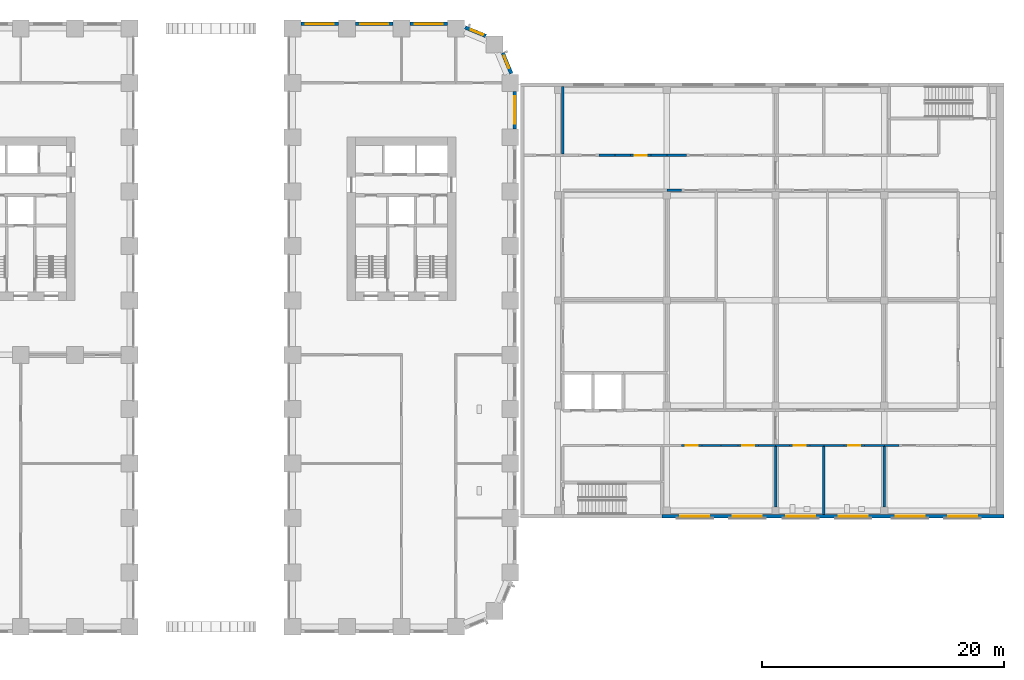
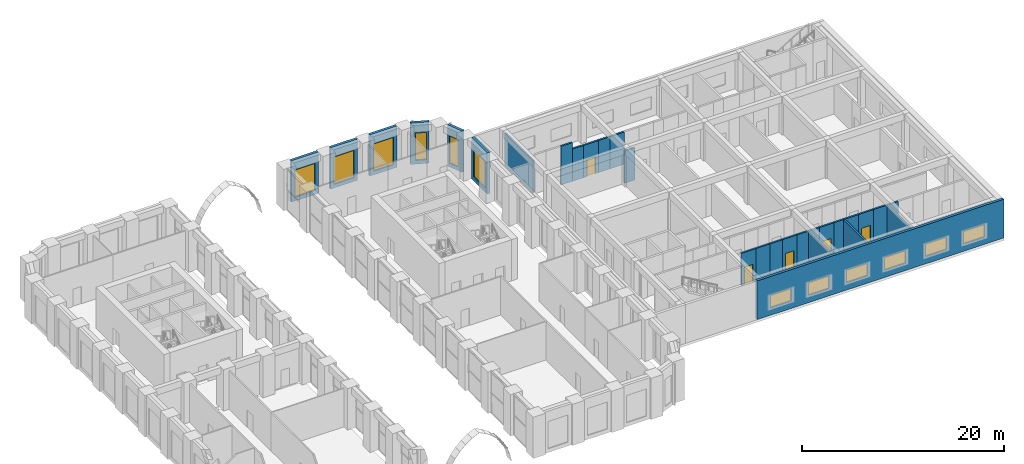
# One storey, part 13 of 24: 29 walls, 12 windows, 5 doors, 17 openings.
"""IFC4 building model written with IfcOpenShell, lengths in metres."""

import ifcopenshell
import ifcopenshell.guid

model = None  # the IFC model being written
_history = None  # IfcOwnerHistory: only IFC2X3 demands one
_inside = {}  # id of a spatial element -> (the spatial element, [elements in it])
_under = {}  # id of a project, library or spatial element -> (it, [spatial elements below it])
_declared = {}  # id of a project -> (the project, [libraries it declares])
_typed = {}  # id of a type object -> (the type object, [elements of that type])
_made_of = {}  # id of a material, layer set ... -> (it, [elements and type objects made of it])


def new_model(schema):
    """Start an empty IFC model of exactly this schema.

    Asked for "IFC4X3", IfcOpenShell would pick the latest addendum, in which some entities
    have other attributes; the version numbers below select the first issue.
    IFC2X3 requires an IfcOwnerHistory on every rooted entity: one is made here for all.
    """
    global model, _history
    if schema == "IFC4X3":
        model = ifcopenshell.file(schema_version=(4, 3, 0, 0))
    else:
        model = ifcopenshell.file(schema=schema)
    _inside.clear()
    _under.clear()
    _declared.clear()
    _typed.clear()
    _made_of.clear()
    _history = None
    if model.schema == "IFC2X3":
        org = make("IfcOrganization", Name="unknown")
        user = make(
            "IfcPersonAndOrganization",
            ThePerson=make("IfcPerson", FamilyName="unknown"),
            TheOrganization=org,
        )
        app = make(
            "IfcApplication",
            ApplicationDeveloper=org,
            Version="unknown",
            ApplicationFullName="unknown",
            ApplicationIdentifier="unknown",
        )
        _history = make(
            "IfcOwnerHistory",
            OwningUser=user,
            OwningApplication=app,
            ChangeAction="ADDED",
            CreationDate=0,
        )
    return model


def make(cls, **values):
    """One entity of the class cls with the attributes given. An attribute that is None is left unset."""
    return model.create_entity(
        cls, **{name: value for name, value in values.items() if value is not None}
    )


def rooted(cls, **values):
    """An entity with a GlobalId (a new one), such as an element, a storey or a relation."""
    return make(cls, GlobalId=ifcopenshell.guid.new(), OwnerHistory=_history, **values)


def si_unit(unit_type, name, prefix=None):
    """IfcSIUnit, for example si_unit("LENGTHUNIT", "METRE", prefix="MILLI")."""
    return make("IfcSIUnit", UnitType=unit_type, Prefix=prefix, Name=name)


def assignment(units):
    """IfcUnitAssignment: the units of a project."""
    return None if units is None else make("IfcUnitAssignment", Units=units)


def point(xyz):
    """IfcCartesianPoint."""
    return None if xyz is None else make("IfcCartesianPoint", Coordinates=xyz)


def direction(xyz):
    """IfcDirection."""
    return None if xyz is None else make("IfcDirection", DirectionRatios=xyz)


def frame(location, z_axis=None, x_axis=None):
    """IfcAxis2Placement3D, a coordinate frame: its origin and axes. An axis left out is left unset."""
    return make(
        "IfcAxis2Placement3D",
        Location=point(location),
        Axis=direction(z_axis),
        RefDirection=direction(x_axis),
    )


def frame_2d(location, x_axis=None):
    """IfcAxis2Placement2D, a coordinate frame in the plane: its origin and x axis."""
    return make(
        "IfcAxis2Placement2D", Location=point(location), RefDirection=direction(x_axis)
    )


def origin():
    """The frame at (0, 0, 0) with its axes left unset."""
    return frame((0.0, 0.0, 0.0))


def place(relative_to, where):
    """IfcLocalPlacement: puts the frame where relative to a parent placement (None: the world)."""
    return make(
        "IfcLocalPlacement", PlacementRelTo=relative_to, RelativePlacement=where
    )


def context(
    kind, dimensions, precision=None, world=None, true_north=None, identifier=None
):
    """IfcGeometricRepresentationContext, for example the 3D "Model" context."""
    return make(
        "IfcGeometricRepresentationContext",
        ContextIdentifier=identifier,
        ContextType=kind,
        CoordinateSpaceDimension=dimensions,
        Precision=precision,
        WorldCoordinateSystem=world,
        TrueNorth=true_north,
    )


def subcontext(parent, identifier, kind, view, scale=None):
    """IfcGeometricRepresentationSubContext, for example "Body" below "Model"."""
    return make(
        "IfcGeometricRepresentationSubContext",
        ContextIdentifier=identifier,
        ContextType=kind,
        ParentContext=parent,
        TargetScale=scale,
        TargetView=view,
    )


def project(units=None, contexts=None):
    """IfcProject with its units and contexts."""
    return rooted(
        "IfcProject",
        Name="project",
        RepresentationContexts=contexts,
        UnitsInContext=assignment(units),
    )


def spatial(cls, under=None, at=None, **own):
    """A site, building, storey or space (cls), placed at a placement, below another one or the project."""
    s = rooted(cls, ObjectPlacement=at, **own)
    if under is not None:
        _under.setdefault(under.id(), (under, []))[1].append(s)
    return s


def profile(cls, at=None, kind="AREA", **sizes):
    """A parametric profile (cls). Its sizes go by their IFC names, for example OverallWidth=200.0."""
    return make(cls, ProfileType=kind, Position=at, **sizes)


def rectangle(**sizes):
    """IfcRectangleProfileDef."""
    return profile("IfcRectangleProfileDef", **sizes)


def extrude(swept, where, along, depth):
    """IfcExtrudedAreaSolid: the profile swept, set in the frame where, extruded along a direction by depth."""
    return make(
        "IfcExtrudedAreaSolid",
        SweptArea=swept,
        Position=where,
        ExtrudedDirection=direction(along),
        Depth=depth,
    )


def shape(context_of_items, identifier, shape_type, items):
    """IfcShapeRepresentation: the items that make up one representation, for example the "Body"."""
    return make(
        "IfcShapeRepresentation",
        ContextOfItems=context_of_items,
        RepresentationIdentifier=identifier,
        RepresentationType=shape_type,
        Items=items,
    )


def material(Name=None, Category=None):
    """IfcMaterial."""
    return make("IfcMaterial", Name=Name, Category=Category)


def layer(
    of_material, thickness, ventilated=None, Name=None, Category=None, Priority=None
):
    """IfcMaterialLayer: one layer of a wall or slab, of a material (None: an air gap)."""
    return make(
        "IfcMaterialLayer",
        Material=of_material,
        LayerThickness=thickness,
        IsVentilated=ventilated,
        Name=Name,
        Category=Category,
        Priority=Priority,
    )


def layer_set(layers, Name=None):
    """IfcMaterialLayerSet."""
    return make("IfcMaterialLayerSet", MaterialLayers=layers, LayerSetName=Name)


def made_of(thing, what):
    """Note that an element or type object is made of a material, layer set ...; save() writes the relation."""
    if what is not None:
        _made_of.setdefault(what.id(), (what, []))[1].append(thing)
    return thing


def type_object(cls, material=None, **own):
    """A type object (cls), such as IfcWallType, which elements share."""
    return made_of(rooted(cls, **own), material)


def element(
    cls,
    number,
    at=None,
    inside=None,
    cuts=None,
    type_object=None,
    material=None,
    context=None,
    identifier="Body",
    shape_type=None,
    held_by="IfcProductDefinitionShape",
    body=None,
    shapes=None,
    **own,
):
    """One element of the class cls, such as IfcWall. Its Tag is "e" and its number.

    at: its placement. inside: the storey or other place that contains it. cuts: it is an
    opening in that element (IfcRelVoidsElement). A single representation is given by context,
    identifier, shape_type and body (its items); several are given by shapes. held_by: the class
    of the entity that holds the representations. save() writes the other relations.
    """
    e = rooted(cls, Tag="e%d" % number, ObjectPlacement=at, **own)
    if body is not None:
        shapes = [shape(context, identifier, shape_type, body)]
    if shapes is not None:
        e.Representation = make(held_by, Representations=shapes)
    if inside is not None:
        _inside.setdefault(inside.id(), (inside, []))[1].append(e)
    if cuts is not None:
        rooted(
            "IfcRelVoidsElement", RelatingBuildingElement=cuts, RelatedOpeningElement=e
        )
    if type_object is not None:
        _typed.setdefault(type_object.id(), (type_object, []))[1].append(e)
    return made_of(e, material)


def fill(opening, filler):
    """IfcRelFillsElement: the door or window that sits in an opening."""
    return rooted(
        "IfcRelFillsElement",
        RelatingOpeningElement=opening,
        RelatedBuildingElement=filler,
    )


def aggregate(whole, parts):
    """IfcRelAggregates: a whole, such as a stair, and the parts it consists of."""
    return rooted("IfcRelAggregates", RelatingObject=whole, RelatedObjects=parts)


def save(model, path):
    """Write the relations noted so far, then the file.

    IfcRelAggregates (storeys below a building ...), IfcRelContainedInSpatialStructure (elements
    in a storey), IfcRelDefinesByType, IfcRelAssociatesMaterial and IfcRelDeclares: one each for
    every whole, place, type object, material and project.
    """
    for whole, parts in _under.values():
        aggregate(whole, parts)
    for where, things in _inside.values():
        rooted(
            "IfcRelContainedInSpatialStructure",
            RelatedElements=things,
            RelatingStructure=where,
        )
    for kind, things in _typed.values():
        rooted("IfcRelDefinesByType", RelatedObjects=things, RelatingType=kind)
    for what, things in _made_of.values():
        rooted("IfcRelAssociatesMaterial", RelatedObjects=things, RelatingMaterial=what)
    for by, libraries in _declared.values():
        rooted("IfcRelDeclares", RelatingContext=by, RelatedDefinitions=libraries)
    model.write(path)


model = new_model("IFC4")

# Units and contexts
model_context = context("Model", 3, precision=1e-05, world=origin(), true_north=direction((0.0, 1.0)))
body_context = subcontext(model_context, "Body", "Model", "MODEL_VIEW")
ifc_project = project(units=[si_unit("LENGTHUNIT", "METRE"), si_unit("AREAUNIT", "SQUARE_METRE"), si_unit("VOLUMEUNIT", "CUBIC_METRE"), si_unit("PLANEANGLEUNIT", "RADIAN"), si_unit("MASSUNIT", "GRAM", prefix="KILO")], contexts=[model_context])

# Site, building, storey
site_placement = place(None, origin())
site = spatial("IfcSite", under=ifc_project, at=site_placement, CompositionType="ELEMENT")
building_placement = place(site_placement, origin())
building = spatial("IfcBuilding", under=site, at=building_placement, Name="Girih Gate Residences", CompositionType="ELEMENT")
storey_placement = place(building_placement, frame((0.0, 0.0, 11.0)))
storey = spatial("IfcBuildingStorey", under=building, at=storey_placement, Name="L02", CompositionType="ELEMENT", Elevation=11.0)

# Wall, opening, door
ifc_material_1 = material(Name="Fire-rated gypsum partition")
ifc_layer_1 = layer(ifc_material_1, 0.199951171875)
ifc_layer_set_1 = layer_set([ifc_layer_1], Name="HC Corridor wall 200 EI 60")
wall_type_1 = type_object("IfcWallType", Name="HC Corridor wall 200 EI 60", PredefinedType="PARTITIONING", material=ifc_layer_set_1)
wall_1_placement = place(storey_placement, frame((65.35009765625, 15.0, 0.0), z_axis=(0.0, 0.0, 1.0), x_axis=(-1.0, 0.0, 0.0)))
wall_1 = element("IfcWall", 1, at=wall_1_placement, inside=storey, type_object=wall_type_1, Name="L02 wall x15.00/63.6", PredefinedType="PARTITIONING", context=body_context, shape_type="SweptSolid", body=[
    extrude(rectangle(XDim=1.7001953125, YDim=0.199951171875, at=frame_2d((0.85009765625, 0.0))), origin(), (0.0, 0.0, 1.0), 3.89990234375),
])
opening_1_placement = place(wall_1_placement, frame((0.35009765625, 0.0, 0.0)))
opening_1 = element("IfcOpeningElement", 2, at=opening_1_placement, cuts=wall_1, Name="Opening HC-L02-D08", PredefinedType="OPENING", context=body_context, shape_type="SweptSolid", body=[
    extrude(rectangle(XDim=1.0, YDim=2.10009765625, at=frame_2d((0.5, 1.050048828125))), frame((0.0, 0.10986328125, 0.0), z_axis=(0.0, -1.0, 0.0), x_axis=(1.0, 0.0, 0.0)), (0.0, 0.0, 1.0), 0.219970703125),
])
ifc_material_2 = material(Name="Timber door set", Category="wood")
door_type = type_object("IfcDoorType", Name="HC Door 1000x2100 FD30S", OperationType="NOTDEFINED", PredefinedType="DOOR", material=ifc_material_2)
door_1_placement = place(opening_1_placement, origin())
door_1 = element("IfcDoor", 3, at=door_1_placement, inside=storey, type_object=door_type, Name="L02 Consulting room 1 door", OperationType="SINGLE_SWING_LEFT", OverallHeight=2.10009765625, OverallWidth=1.0, PredefinedType="DOOR", context=body_context, shape_type="SweptSolid", body=[
    extrude(rectangle(XDim=1.0, YDim=2.10009765625, at=frame_2d((0.5, 1.050048828125))), frame((0.0, 0.02490234375, 0.0), z_axis=(0.0, -1.0, 0.0), x_axis=(1.0, 0.0, 0.0)), (0.0, 0.0, 1.0), 0.050048828125),
])
fill(opening_1, door_1)

# Walls
wall_2_placement = place(storey_placement, frame((65.35009765625, 15.0, 0.0), z_axis=(0.0, 0.0, 1.0), x_axis=(1.0, 0.0, 0.0)))
element("IfcWall", 4, at=wall_2_placement, inside=storey, type_object=wall_type_1, Name="L02 wall x15.00/65.3", PredefinedType="PARTITIONING", context=body_context, shape_type="SweptSolid", body=[
    extrude(rectangle(XDim=1.599853515625, YDim=0.199951171875, at=frame_2d((0.7998046875, 0.0))), origin(), (0.0, 0.0, 1.0), 3.89990234375),
])
wall_3_placement = place(storey_placement, frame((66.949951171875, 15.0, 0.0), z_axis=(0.0, 0.0, 1.0), x_axis=(1.0, 0.0, 0.0)))
element("IfcWall", 5, at=wall_3_placement, inside=storey, type_object=wall_type_1, Name="L02 wall x15.00/67.0", PredefinedType="PARTITIONING", context=body_context, shape_type="SweptSolid", body=[
    extrude(rectangle(XDim=1.400146484375, YDim=0.199951171875, at=frame_2d((0.7001953125, 0.0))), origin(), (0.0, 0.0, 1.0), 3.89990234375),
])

# Wall, opening, door
wall_4_placement = place(storey_placement, frame((70.050048828125, 15.0, 0.0), z_axis=(0.0, 0.0, 1.0), x_axis=(-1.0, 0.0, 0.0)))
wall_4 = element("IfcWall", 6, at=wall_4_placement, inside=storey, type_object=wall_type_1, Name="L02 wall x15.00/68.4", PredefinedType="PARTITIONING", context=body_context, shape_type="SweptSolid", body=[
    extrude(rectangle(XDim=1.699951171875, YDim=0.199951171875, at=frame_2d((0.85009765625, 0.0))), origin(), (0.0, 0.0, 1.0), 3.89990234375),
])
opening_2_placement = place(wall_4_placement, frame((0.35009765625, 0.0, 0.0)))
opening_2 = element("IfcOpeningElement", 7, at=opening_2_placement, cuts=wall_4, Name="Opening HC-L02-D09", PredefinedType="OPENING", context=body_context, shape_type="SweptSolid", body=[
    extrude(rectangle(XDim=1.0, YDim=2.10009765625, at=frame_2d((0.5, 1.050048828125))), frame((0.0, 0.10986328125, 0.0), z_axis=(0.0, -1.0, 0.0), x_axis=(1.0, 0.0, 0.0)), (0.0, 0.0, 1.0), 0.219970703125),
])
door_2_placement = place(opening_2_placement, origin())
door_2 = element("IfcDoor", 8, at=door_2_placement, inside=storey, type_object=door_type, Name="L02 Consulting room 2 door", OperationType="SINGLE_SWING_RIGHT", OverallHeight=2.10009765625, OverallWidth=1.0, PredefinedType="DOOR", context=body_context, shape_type="SweptSolid", body=[
    extrude(rectangle(XDim=1.0, YDim=2.10009765625, at=frame_2d((0.5, 1.050048828125))), frame((0.0, 0.02490234375, 0.0), z_axis=(0.0, -1.0, 0.0), x_axis=(1.0, 0.0, 0.0)), (0.0, 0.0, 1.0), 0.050048828125),
])
fill(opening_2, door_2)

# Walls
wall_5_placement = place(storey_placement, frame((70.050048828125, 15.0, 0.0), z_axis=(0.0, 0.0, 1.0), x_axis=(1.0, 0.0, 0.0)))
element("IfcWall", 9, at=wall_5_placement, inside=storey, type_object=wall_type_1, Name="L02 wall x15.00/70.0", PredefinedType="PARTITIONING", context=body_context, shape_type="SweptSolid", body=[
    extrude(rectangle(XDim=1.39990234375, YDim=0.199951171875, at=frame_2d((0.699951171875, 0.0))), origin(), (0.0, 0.0, 1.0), 3.89990234375),
])
wall_6_placement = place(storey_placement, frame((71.449951171875, 15.0, 0.0), z_axis=(0.0, 0.0, 1.0), x_axis=(1.0, 0.0, 0.0)))
element("IfcWall", 10, at=wall_6_placement, inside=storey, type_object=wall_type_1, Name="L02 wall x15.00/71.5", PredefinedType="PARTITIONING", context=body_context, shape_type="SweptSolid", body=[
    extrude(rectangle(XDim=1.150146484375, YDim=0.199951171875, at=frame_2d((0.5751953125, 0.0))), origin(), (0.0, 0.0, 1.0), 3.89990234375),
])

# Wall, opening, door
wall_7_placement = place(storey_placement, frame((74.300048828125, 15.0, 0.0), z_axis=(0.0, 0.0, 1.0), x_axis=(-1.0, 0.0, 0.0)))
wall_7 = element("IfcWall", 11, at=wall_7_placement, inside=storey, type_object=wall_type_1, Name="L02 wall x15.00/72.6", PredefinedType="PARTITIONING", context=body_context, shape_type="SweptSolid", body=[
    extrude(rectangle(XDim=1.699951171875, YDim=0.199951171875, at=frame_2d((0.85009765625, 0.0))), origin(), (0.0, 0.0, 1.0), 3.89990234375),
])
opening_3_placement = place(wall_7_placement, frame((0.35009765625, 0.0, 0.0)))
opening_3 = element("IfcOpeningElement", 12, at=opening_3_placement, cuts=wall_7, Name="Opening HC-L02-D10", PredefinedType="OPENING", context=body_context, shape_type="SweptSolid", body=[
    extrude(rectangle(XDim=1.0, YDim=2.10009765625, at=frame_2d((0.5, 1.050048828125))), frame((0.0, 0.10986328125, 0.0), z_axis=(0.0, -1.0, 0.0), x_axis=(1.0, 0.0, 0.0)), (0.0, 0.0, 1.0), 0.219970703125),
])
door_3_placement = place(opening_3_placement, origin())
door_3 = element("IfcDoor", 13, at=door_3_placement, inside=storey, type_object=door_type, Name="L02 Accessible WC door", OperationType="SINGLE_SWING_LEFT", OverallHeight=2.10009765625, OverallWidth=1.0, PredefinedType="DOOR", context=body_context, shape_type="SweptSolid", body=[
    extrude(rectangle(XDim=1.0, YDim=2.10009765625, at=frame_2d((0.5, 1.050048828125))), frame((0.0, 0.02490234375, 0.0), z_axis=(0.0, -1.0, 0.0), x_axis=(1.0, 0.0, 0.0)), (0.0, 0.0, 1.0), 0.050048828125),
])
fill(opening_3, door_3)

# Walls
wall_8_placement = place(storey_placement, frame((74.300048828125, 15.0, 0.0), z_axis=(0.0, 0.0, 1.0), x_axis=(1.0, 0.0, 0.0)))
element("IfcWall", 14, at=wall_8_placement, inside=storey, type_object=wall_type_1, Name="L02 wall x15.00/74.3", PredefinedType="PARTITIONING", context=body_context, shape_type="SweptSolid", body=[
    extrude(rectangle(XDim=1.14990234375, YDim=0.199951171875, at=frame_2d((0.574951171875, 0.0))), origin(), (0.0, 0.0, 1.0), 3.89990234375),
])
wall_9_placement = place(storey_placement, frame((75.449951171875, 15.0, 0.0), z_axis=(0.0, 0.0, 1.0), x_axis=(1.0, 0.0, 0.0)))
element("IfcWall", 15, at=wall_9_placement, inside=storey, type_object=wall_type_1, Name="L02 wall x15.00/75.5", PredefinedType="PARTITIONING", context=body_context, shape_type="SweptSolid", body=[
    extrude(rectangle(XDim=1.650146484375, YDim=0.199951171875, at=frame_2d((0.8251953125, 0.0))), origin(), (0.0, 0.0, 1.0), 3.89990234375),
])

# Wall, opening, door
wall_10_placement = place(storey_placement, frame((78.800048828125, 15.0, 0.0), z_axis=(0.0, 0.0, 1.0), x_axis=(-1.0, 0.0, 0.0)))
wall_10 = element("IfcWall", 16, at=wall_10_placement, inside=storey, type_object=wall_type_1, Name="L02 wall x15.00/77.1", PredefinedType="PARTITIONING", context=body_context, shape_type="SweptSolid", body=[
    extrude(rectangle(XDim=1.699951171875, YDim=0.199951171875, at=frame_2d((0.85009765625, 0.0))), origin(), (0.0, 0.0, 1.0), 3.89990234375),
])
opening_4_placement = place(wall_10_placement, frame((0.35009765625, 0.0, 0.0)))
opening_4 = element("IfcOpeningElement", 17, at=opening_4_placement, cuts=wall_10, Name="Opening HC-L02-D11", PredefinedType="OPENING", context=body_context, shape_type="SweptSolid", body=[
    extrude(rectangle(XDim=1.0, YDim=2.10009765625, at=frame_2d((0.5, 1.050048828125))), frame((0.0, 0.10986328125, 0.0), z_axis=(0.0, -1.0, 0.0), x_axis=(1.0, 0.0, 0.0)), (0.0, 0.0, 1.0), 0.219970703125),
])
door_4_placement = place(opening_4_placement, origin())
door_4 = element("IfcDoor", 18, at=door_4_placement, inside=storey, type_object=door_type, Name="L02 Public WC door", OperationType="SINGLE_SWING_RIGHT", OverallHeight=2.10009765625, OverallWidth=1.0, PredefinedType="DOOR", context=body_context, shape_type="SweptSolid", body=[
    extrude(rectangle(XDim=1.0, YDim=2.10009765625, at=frame_2d((0.5, 1.050048828125))), frame((0.0, 0.02490234375, 0.0), z_axis=(0.0, -1.0, 0.0), x_axis=(1.0, 0.0, 0.0)), (0.0, 0.0, 1.0), 0.050048828125),
])
fill(opening_4, door_4)

# Walls
wall_11_placement = place(storey_placement, frame((78.800048828125, 15.0, 0.0), z_axis=(0.0, 0.0, 1.0), x_axis=(1.0, 0.0, 0.0)))
element("IfcWall", 19, at=wall_11_placement, inside=storey, type_object=wall_type_1, Name="L02 wall x15.00/78.8", PredefinedType="PARTITIONING", context=body_context, shape_type="SweptSolid", body=[
    extrude(rectangle(XDim=1.64990234375, YDim=0.199951171875, at=frame_2d((0.824951171875, 0.0))), origin(), (0.0, 0.0, 1.0), 3.89990234375),
])
for number, where, z_axis, x_axis, name in (
    (20, (80.449951171875, 15.0, 0.0), (0.0, 0.0, 1.0), (1.0, 0.0, 0.0), "L02 wall x15.00/80.5"),
    (21, (62.449951171875, 36.10009765625, 0.0), (0.0, 0.0, 1.0), (1.0, 0.0, 0.0), "L02 wall x36.10/62.5"),
):
    element("IfcWall", number, at=place(storey_placement, frame(where, z_axis=z_axis, x_axis=x_axis)), inside=storey, type_object=wall_type_1, Name=name, PredefinedType="PARTITIONING", context=body_context, shape_type="SweptSolid", body=[
        extrude(rectangle(XDim=1.199951171875, YDim=0.199951171875, at=frame_2d((0.60009765625, 0.0))), origin(), (0.0, 0.0, 1.0), 3.89990234375),
    ])
wall_12_placement = place(storey_placement, frame((56.85009765625, 39.0, 0.0), z_axis=(0.0, 0.0, 1.0), x_axis=(1.0, 0.0, 0.0)))
element("IfcWall", 22, at=wall_12_placement, inside=storey, type_object=wall_type_1, Name="L02 wall x39.00/56.9", PredefinedType="PARTITIONING", context=body_context, shape_type="SweptSolid", body=[
    extrude(rectangle(XDim=1.2998046875, YDim=0.199951171875, at=frame_2d((0.64990234375, 0.0))), origin(), (0.0, 0.0, 1.0), 4.699951171875),
])
wall_13_placement = place(storey_placement, frame((58.14990234375, 39.0, 0.0), z_axis=(0.0, 0.0, 1.0), x_axis=(1.0, 0.0, 0.0)))
element("IfcWall", 23, at=wall_13_placement, inside=storey, type_object=wall_type_1, Name="L02 wall x39.00/58.1", PredefinedType="PARTITIONING", context=body_context, shape_type="SweptSolid", body=[
    extrude(rectangle(XDim=1.300048828125, YDim=0.199951171875, at=frame_2d((0.64990234375, 0.0))), origin(), (0.0, 0.0, 1.0), 3.89990234375),
])

# Wall, opening, door
wall_14_placement = place(storey_placement, frame((59.449951171875, 39.0, 0.0), z_axis=(0.0, 0.0, 1.0), x_axis=(1.0, 0.0, 0.0)))
wall_14 = element("IfcWall", 24, at=wall_14_placement, inside=storey, type_object=wall_type_1, Name="L02 wall x39.00/59.4", PredefinedType="PARTITIONING", context=body_context, shape_type="SweptSolid", body=[
    extrude(rectangle(XDim=1.699951171875, YDim=0.199951171875, at=frame_2d((0.85009765625, 0.0))), origin(), (0.0, 0.0, 1.0), 3.89990234375),
])
opening_5_placement = place(wall_14_placement, frame((0.35009765625, 0.0, 0.0)))
opening_5 = element("IfcOpeningElement", 25, at=opening_5_placement, cuts=wall_14, Name="Opening HC-L02-D29", PredefinedType="OPENING", context=body_context, shape_type="SweptSolid", body=[
    extrude(rectangle(XDim=1.0, YDim=2.10009765625, at=frame_2d((0.5, 1.050048828125))), frame((0.0, 0.10986328125, 0.0), z_axis=(0.0, -1.0, 0.0), x_axis=(1.0, 0.0, 0.0)), (0.0, 0.0, 1.0), 0.219970703125),
])
door_5_placement = place(opening_5_placement, origin())
door_5 = element("IfcDoor", 26, at=door_5_placement, inside=storey, type_object=door_type, Name="L02 Consulting room 10 door", OperationType="SINGLE_SWING_LEFT", OverallHeight=2.10009765625, OverallWidth=1.0, PredefinedType="DOOR", context=body_context, shape_type="SweptSolid", body=[
    extrude(rectangle(XDim=1.0, YDim=2.10009765625, at=frame_2d((0.5, 1.050048828125))), frame((0.0, 0.02490234375, 0.0), z_axis=(0.0, -1.0, 0.0), x_axis=(1.0, 0.0, 0.0)), (0.0, 0.0, 1.0), 0.050048828125),
])
fill(opening_5, door_5)

# Walls
wall_15_placement = place(storey_placement, frame((61.14990234375, 39.0, 0.0), z_axis=(0.0, 0.0, 1.0), x_axis=(1.0, 0.0, 0.0)))
element("IfcWall", 27, at=wall_15_placement, inside=storey, type_object=wall_type_1, Name="L02 wall x39.00/61.1", PredefinedType="PARTITIONING", context=body_context, shape_type="SweptSolid", body=[
    extrude(rectangle(XDim=1.300048828125, YDim=0.199951171875, at=frame_2d((0.64990234375, 0.0))), origin(), (0.0, 0.0, 1.0), 3.89990234375),
])
wall_16_placement = place(storey_placement, frame((62.449951171875, 39.0, 0.0), z_axis=(0.0, 0.0, 1.0), x_axis=(1.0, 0.0, 0.0)))
element("IfcWall", 28, at=wall_16_placement, inside=storey, type_object=wall_type_1, Name="L02 wall x39.00/62.5", PredefinedType="PARTITIONING", context=body_context, shape_type="SweptSolid", body=[
    extrude(rectangle(XDim=1.650146484375, YDim=0.199951171875, at=frame_2d((0.8251953125, 0.0))), origin(), (0.0, 0.0, 1.0), 3.89990234375),
])

# Wall, openings, windows
ifc_material_3 = material(Name="Precast concrete C40/50", Category="concrete")
ifc_layer_2 = layer(ifc_material_3, 0.300048828125)
ifc_layer_set_2 = layer_set([ifc_layer_2], Name="HC Facade wall 300")
wall_type_2 = type_object("IfcWallType", Name="HC Facade wall 300", PredefinedType="SOLIDWALL", material=ifc_layer_set_2)
wall_17_placement = place(storey_placement, frame((90.35009765625, 9.14990234375, 0.0), z_axis=(0.0, 0.0, 1.0), x_axis=(-1.0, 0.0, 0.0)))
wall_17 = element("IfcWall", 29, at=wall_17_placement, inside=storey, type_object=wall_type_2, Name="L02 south facade wall", PredefinedType="SOLIDWALL", context=body_context, shape_type="SweptSolid", body=[
    extrude(rectangle(XDim=28.300048828125, YDim=0.300048828125, at=frame_2d((14.14990234375, 0.0))), origin(), (0.0, 0.0, 1.0), 4.699951171875),
])
opening_6_placement = place(wall_17_placement, frame((2.22509765625, 0.0, 0.89990234375)))
opening_6 = element("IfcOpeningElement", 30, at=opening_6_placement, cuts=wall_17, Name="Opening HC-W-L02-S06", PredefinedType="OPENING", context=body_context, shape_type="SweptSolid", body=[
    extrude(rectangle(XDim=2.39990234375, YDim=1.5, at=frame_2d((1.199951171875, 0.75))), frame((0.0, 0.159912109375, 0.0), z_axis=(0.0, -1.0, 0.0), x_axis=(1.0, 0.0, 0.0)), (0.0, 0.0, 1.0), 0.320068359375),
])
opening_7_placement = place(wall_17_placement, frame((6.574951171875, 0.0, 0.89990234375)))
opening_7 = element("IfcOpeningElement", 31, at=opening_7_placement, cuts=wall_17, Name="Opening HC-W-L02-S05", PredefinedType="OPENING", context=body_context, shape_type="SweptSolid", body=[
    extrude(rectangle(XDim=2.39990234375, YDim=1.5, at=frame_2d((1.199951171875, 0.75))), frame((0.0, 0.159912109375, 0.0), z_axis=(0.0, -1.0, 0.0), x_axis=(1.0, 0.0, 0.0)), (0.0, 0.0, 1.0), 0.320068359375),
])
opening_8_placement = place(wall_17_placement, frame((11.27490234375, 0.0, 0.89990234375)))
opening_8 = element("IfcOpeningElement", 32, at=opening_8_placement, cuts=wall_17, Name="Opening HC-W-L02-S04", PredefinedType="OPENING", context=body_context, shape_type="SweptSolid", body=[
    extrude(rectangle(XDim=2.39990234375, YDim=1.5, at=frame_2d((1.199951171875, 0.75))), frame((0.0, 0.159912109375, 0.0), z_axis=(0.0, -1.0, 0.0), x_axis=(1.0, 0.0, 0.0)), (0.0, 0.0, 1.0), 0.320068359375),
])
opening_9_placement = place(wall_17_placement, frame((15.625, 0.0, 0.89990234375)))
opening_9 = element("IfcOpeningElement", 33, at=opening_9_placement, cuts=wall_17, Name="Opening HC-W-L02-S03", PredefinedType="OPENING", context=body_context, shape_type="SweptSolid", body=[
    extrude(rectangle(XDim=2.39990234375, YDim=1.5, at=frame_2d((1.199951171875, 0.75))), frame((0.0, 0.159912109375, 0.0), z_axis=(0.0, -1.0, 0.0), x_axis=(1.0, 0.0, 0.0)), (0.0, 0.0, 1.0), 0.320068359375),
])
opening_10_placement = place(wall_17_placement, frame((20.02490234375, 0.0, 0.89990234375)))
opening_10 = element("IfcOpeningElement", 34, at=opening_10_placement, cuts=wall_17, Name="Opening HC-W-L02-S02", PredefinedType="OPENING", context=body_context, shape_type="SweptSolid", body=[
    extrude(rectangle(XDim=2.39990234375, YDim=1.5, at=frame_2d((1.199951171875, 0.75))), frame((0.0, 0.159912109375, 0.0), z_axis=(0.0, -1.0, 0.0), x_axis=(1.0, 0.0, 0.0)), (0.0, 0.0, 1.0), 0.320068359375),
])
opening_11_placement = place(wall_17_placement, frame((24.375, 0.0, 0.89990234375)))
opening_11 = element("IfcOpeningElement", 35, at=opening_11_placement, cuts=wall_17, Name="Opening HC-W-L02-S01", PredefinedType="OPENING", context=body_context, shape_type="SweptSolid", body=[
    extrude(rectangle(XDim=2.39990234375, YDim=1.5, at=frame_2d((1.199951171875, 0.75))), frame((0.0, 0.159912109375, 0.0), z_axis=(0.0, -1.0, 0.0), x_axis=(1.0, 0.0, 0.0)), (0.0, 0.0, 1.0), 0.320068359375),
])
ifc_material_4 = material(Name="Aluminium framed glazing", Category="aluminium")
window_type_1 = type_object("IfcWindowType", Name="HC Window W-4 2400x1500", PartitioningType="DOUBLE_PANEL_VERTICAL", PredefinedType="WINDOW", material=ifc_material_4)
window_1_placement = place(opening_6_placement, origin())
window_1 = element("IfcWindow", 36, at=window_1_placement, inside=storey, type_object=window_type_1, Name="L02 south window 6", OverallHeight=1.5, OverallWidth=2.39990234375, PartitioningType="DOUBLE_PANEL_VERTICAL", PredefinedType="WINDOW", context=body_context, shape_type="SweptSolid", body=[
    extrude(rectangle(XDim=2.39990234375, YDim=1.5, at=frame_2d((1.199951171875, 0.75))), frame((0.0, 0.030029296875, 0.0), z_axis=(0.0, -1.0, 0.0), x_axis=(1.0, 0.0, 0.0)), (0.0, 0.0, 1.0), 0.06005859375),
])
fill(opening_6, window_1)
window_2_placement = place(opening_7_placement, origin())
window_2 = element("IfcWindow", 37, at=window_2_placement, inside=storey, type_object=window_type_1, Name="L02 south window 5", OverallHeight=1.5, OverallWidth=2.39990234375, PartitioningType="DOUBLE_PANEL_VERTICAL", PredefinedType="WINDOW", context=body_context, shape_type="SweptSolid", body=[
    extrude(rectangle(XDim=2.39990234375, YDim=1.5, at=frame_2d((1.199951171875, 0.75))), frame((0.0, 0.030029296875, 0.0), z_axis=(0.0, -1.0, 0.0), x_axis=(1.0, 0.0, 0.0)), (0.0, 0.0, 1.0), 0.06005859375),
])
fill(opening_7, window_2)
window_3_placement = place(opening_8_placement, origin())
window_3 = element("IfcWindow", 38, at=window_3_placement, inside=storey, type_object=window_type_1, Name="L02 south window 4", OverallHeight=1.5, OverallWidth=2.39990234375, PartitioningType="DOUBLE_PANEL_VERTICAL", PredefinedType="WINDOW", context=body_context, shape_type="SweptSolid", body=[
    extrude(rectangle(XDim=2.39990234375, YDim=1.5, at=frame_2d((1.199951171875, 0.75))), frame((0.0, 0.030029296875, 0.0), z_axis=(0.0, -1.0, 0.0), x_axis=(1.0, 0.0, 0.0)), (0.0, 0.0, 1.0), 0.06005859375),
])
fill(opening_8, window_3)
window_4_placement = place(opening_9_placement, origin())
window_4 = element("IfcWindow", 39, at=window_4_placement, inside=storey, type_object=window_type_1, Name="L02 south window 3", OverallHeight=1.5, OverallWidth=2.39990234375, PartitioningType="DOUBLE_PANEL_VERTICAL", PredefinedType="WINDOW", context=body_context, shape_type="SweptSolid", body=[
    extrude(rectangle(XDim=2.39990234375, YDim=1.5, at=frame_2d((1.199951171875, 0.75))), frame((0.0, 0.030029296875, 0.0), z_axis=(0.0, -1.0, 0.0), x_axis=(1.0, 0.0, 0.0)), (0.0, 0.0, 1.0), 0.06005859375),
])
fill(opening_9, window_4)
window_5_placement = place(opening_10_placement, origin())
window_5 = element("IfcWindow", 40, at=window_5_placement, inside=storey, type_object=window_type_1, Name="L02 south window 2", OverallHeight=1.5, OverallWidth=2.39990234375, PartitioningType="DOUBLE_PANEL_VERTICAL", PredefinedType="WINDOW", context=body_context, shape_type="SweptSolid", body=[
    extrude(rectangle(XDim=2.39990234375, YDim=1.5, at=frame_2d((1.199951171875, 0.75))), frame((0.0, 0.030029296875, 0.0), z_axis=(0.0, -1.0, 0.0), x_axis=(1.0, 0.0, 0.0)), (0.0, 0.0, 1.0), 0.06005859375),
])
fill(opening_10, window_5)
window_6_placement = place(opening_11_placement, origin())
window_6 = element("IfcWindow", 41, at=window_6_placement, inside=storey, type_object=window_type_1, Name="L02 south window 1", OverallHeight=1.5, OverallWidth=2.39990234375, PartitioningType="DOUBLE_PANEL_VERTICAL", PredefinedType="WINDOW", context=body_context, shape_type="SweptSolid", body=[
    extrude(rectangle(XDim=2.39990234375, YDim=1.5, at=frame_2d((1.199951171875, 0.75))), frame((0.0, 0.030029296875, 0.0), z_axis=(0.0, -1.0, 0.0), x_axis=(1.0, 0.0, 0.0)), (0.0, 0.0, 1.0), 0.06005859375),
])
fill(opening_11, window_6)

# Walls
ifc_material_5 = material(Name="Gypsum partition")
ifc_layer_3 = layer(ifc_material_5, 0.199951171875)
ifc_layer_set_3 = layer_set([ifc_layer_3], Name="HC Room partition 200 EI 30")
wall_type_3 = type_object("IfcWallType", Name="HC Room partition 200 EI 30", PredefinedType="PARTITIONING", material=ifc_layer_set_3)
wall_18_placement = place(storey_placement, frame((53.85009765625, 39.10009765625, 0.0), z_axis=(0.0, 0.0, 1.0), x_axis=(0.0, 1.0, 0.0)))
element("IfcWall", 42, at=wall_18_placement, inside=storey, type_object=wall_type_3, Name="L02 wall y53.85/39.1", PredefinedType="PARTITIONING", context=body_context, shape_type="SweptSolid", body=[
    extrude(rectangle(XDim=5.599853515625, YDim=0.199951171875, at=frame_2d((2.7998046875, 0.0))), origin(), (0.0, 0.0, 1.0), 3.89990234375),
])
wall_19_placement = place(storey_placement, frame((71.449951171875, 9.89990234375, 0.0), z_axis=(0.0, 0.0, 1.0), x_axis=(0.0, 1.0, 0.0)))
element("IfcWall", 43, at=wall_19_placement, inside=storey, type_object=wall_type_3, Name="L02 wall y71.45/9.9", PredefinedType="PARTITIONING", context=body_context, shape_type="SweptSolid", body=[
    extrude(rectangle(XDim=5.0, YDim=0.199951171875, at=frame_2d((2.5, 0.0))), origin(), (0.0, 0.0, 1.0), 3.89990234375),
])
wall_20_placement = place(storey_placement, frame((75.449951171875, 9.300048828125, 0.0), z_axis=(0.0, 0.0, 1.0), x_axis=(0.0, 1.0, 0.0)))
element("IfcWall", 44, at=wall_20_placement, inside=storey, type_object=wall_type_3, Name="L02 wall y75.45/9.3", PredefinedType="PARTITIONING", context=body_context, shape_type="SweptSolid", body=[
    extrude(rectangle(XDim=5.599853515625, YDim=0.199951171875, at=frame_2d((2.7998046875, 0.0))), origin(), (0.0, 0.0, 1.0), 3.89990234375),
])
wall_21_placement = place(storey_placement, frame((80.449951171875, 9.89990234375, 0.0), z_axis=(0.0, 0.0, 1.0), x_axis=(0.0, 1.0, 0.0)))
element("IfcWall", 45, at=wall_21_placement, inside=storey, type_object=wall_type_3, Name="L02 wall y80.45/9.9", PredefinedType="PARTITIONING", context=body_context, shape_type="SweptSolid", body=[
    extrude(rectangle(XDim=5.0, YDim=0.199951171875, at=frame_2d((2.5, 0.0))), origin(), (0.0, 0.0, 1.0), 3.89990234375),
])

# Wall, opening, window
ifc_material_6 = material(Name="Precast concrete C50/60", Category="concrete")
ifc_layer_4 = layer(ifc_material_6, 0.080078125, Name="Outer leaf")
ifc_material_7 = material(Name="Rigid PIR insulation")
ifc_layer_5 = layer(ifc_material_7, 0.14990234375, Name="Insulation")
ifc_layer_6 = layer(ifc_material_3, 0.070068359375, Name="Inner leaf")
ifc_layer_set_4 = layer_set([ifc_layer_4, ifc_layer_5, ifc_layer_6], Name="Precast concrete C50/60 external wall 300")
wall_type_4 = type_object("IfcWallType", Name="Precast concrete C50/60 external wall 300", PredefinedType="SOLIDWALL", material=ifc_layer_set_4)
wall_22_placement = place(storey_placement, frame((49.875, 44.300048828125, 0.0), z_axis=(0.0, 0.0, 1.0), x_axis=(0.0, -1.0, 0.0)))
wall_22 = element("IfcWall", 46, at=wall_22_placement, inside=storey, type_object=wall_type_4, Name="External wall E0495_0045.8", PredefinedType="SOLIDWALL", context=body_context, shape_type="SweptSolid", body=[
    extrude(rectangle(XDim=3.10009765625, YDim=0.300048828125, at=frame_2d((1.550048828125, 0.0))), origin(), (0.0, 0.0, 1.0), 5.0),
])
opening_12_placement = place(wall_22_placement, frame((0.39990234375, 0.0, 0.449951171875)))
opening_12 = element("IfcOpeningElement", 47, at=opening_12_placement, cuts=wall_22, Name="Opening W-3", PredefinedType="OPENING", context=body_context, shape_type="SweptSolid", body=[
    extrude(rectangle(XDim=2.300048828125, YDim=3.300048828125, at=frame_2d((1.14990234375, 1.64990234375))), frame((0.0, 0.159912109375, 0.0), z_axis=(0.0, -1.0, 0.0), x_axis=(1.0, 0.0, 0.0)), (0.0, 0.0, 1.0), 0.320068359375),
])
ifc_material_8 = material(Name="Double glazing in aluminium frame", Category="aluminium")
window_type_2 = type_object("IfcWindowType", Name="Window W-3 2300x3300", PartitioningType="SINGLE_PANEL", PredefinedType="WINDOW", material=ifc_material_8)
window_7_placement = place(opening_12_placement, origin())
window_7 = element("IfcWindow", 48, at=window_7_placement, inside=storey, type_object=window_type_2, Name="Window W-3 E0495_0045.8", OverallHeight=3.300048828125, OverallWidth=2.300048828125, PartitioningType="SINGLE_PANEL", PredefinedType="WINDOW", context=body_context, shape_type="SweptSolid", body=[
    extrude(rectangle(XDim=2.300048828125, YDim=3.300048828125, at=frame_2d((1.14990234375, 1.64990234375))), frame((0.0, 0.030029296875, 0.0), z_axis=(0.0, -1.0, 0.0), x_axis=(1.0, 0.0, 0.0)), (0.0, 0.0, 1.0), 0.06005859375),
])
fill(opening_12, window_7)

wall_23_placement = place(storey_placement, frame((48.87841796875, 47.48046875, 0.0), z_axis=(0.0, 0.0, 1.0), x_axis=(0.38262540684, -0.923903565336, 0.0)))
wall_23 = element("IfcWall", 49, at=wall_23_placement, inside=storey, type_object=wall_type_4, Name="External wall NE0495_0450.0", PredefinedType="SOLIDWALL", context=body_context, shape_type="SweptSolid", body=[
    extrude(rectangle(XDim=1.864990234375, YDim=0.300048828125, at=frame_2d((0.9326171875, 0.0))), origin(), (0.0, 0.0, 1.0), 5.0),
])
opening_13_placement = place(wall_23_placement, frame((0.257568359375, 0.0, 0.449951171875)))
opening_13 = element("IfcOpeningElement", 50, at=opening_13_placement, cuts=wall_23, Name="Opening W-2A", PredefinedType="OPENING", context=body_context, shape_type="SweptSolid", body=[
    extrude(rectangle(XDim=1.10009765625, YDim=3.300048828125, at=frame_2d((0.550048828125, 1.64990234375))), frame((0.0, 0.159912109375, 0.0), z_axis=(0.0, -1.0, 0.0), x_axis=(1.0, 0.0, 0.0)), (0.0, 0.0, 1.0), 0.320068359375),
])
window_type_3 = type_object("IfcWindowType", Name="Window W-2A 1100x3300", PartitioningType="SINGLE_PANEL", PredefinedType="WINDOW", material=ifc_material_8)
window_8_placement = place(opening_13_placement, origin())
window_8 = element("IfcWindow", 51, at=window_8_placement, inside=storey, type_object=window_type_3, Name="Window W-2A NE0495_0450.0", OverallHeight=3.300048828125, OverallWidth=1.10009765625, PartitioningType="SINGLE_PANEL", PredefinedType="WINDOW", context=body_context, shape_type="SweptSolid", body=[
    extrude(rectangle(XDim=1.10009765625, YDim=3.300048828125, at=frame_2d((0.550048828125, 1.64990234375))), frame((0.0, 0.030029296875, 0.0), z_axis=(0.0, -1.0, 0.0), x_axis=(1.0, 0.0, 0.0)), (0.0, 0.0, 1.0), 0.06005859375),
])
fill(opening_13, window_8)

wall_24_placement = place(storey_placement, frame((45.75732421875, 49.59228515625, 0.0), z_axis=(0.0, 0.0, 1.0), x_axis=(0.923857286003, -0.382737135771, 0.0)))
wall_24 = element("IfcWall", 52, at=wall_24_placement, inside=storey, type_object=wall_type_4, Name="External wall NE0482_0482.0", PredefinedType="SOLIDWALL", context=body_context, shape_type="SweptSolid", body=[
    extrude(rectangle(XDim=1.865234375, YDim=0.300048828125, at=frame_2d((0.9326171875, 0.0))), origin(), (0.0, 0.0, 1.0), 5.0),
])
opening_14_placement = place(wall_24_placement, frame((0.507568359375, 0.0, 0.449951171875)))
opening_14 = element("IfcOpeningElement", 53, at=opening_14_placement, cuts=wall_24, Name="Opening W-2A", PredefinedType="OPENING", context=body_context, shape_type="SweptSolid", body=[
    extrude(rectangle(XDim=1.10009765625, YDim=3.300048828125, at=frame_2d((0.550048828125, 1.64990234375))), frame((0.0, 0.159912109375, 0.0), z_axis=(0.0, -1.0, 0.0), x_axis=(1.0, 0.0, 0.0)), (0.0, 0.0, 1.0), 0.320068359375),
])
window_9_placement = place(opening_14_placement, origin())
window_9 = element("IfcWindow", 54, at=window_9_placement, inside=storey, type_object=window_type_3, Name="Window W-2A NE0482_0482.0", OverallHeight=3.300048828125, OverallWidth=1.10009765625, PartitioningType="SINGLE_PANEL", PredefinedType="WINDOW", context=body_context, shape_type="SweptSolid", body=[
    extrude(rectangle(XDim=1.10009765625, YDim=3.300048828125, at=frame_2d((0.550048828125, 1.64990234375))), frame((0.0, 0.030029296875, 0.0), z_axis=(0.0, -1.0, 0.0), x_axis=(1.0, 0.0, 0.0)), (0.0, 0.0, 1.0), 0.06005859375),
])
fill(opening_14, window_9)

wall_25_placement = place(storey_placement, frame((41.199951171875, 49.875, 0.0), z_axis=(0.0, 0.0, 1.0), x_axis=(1.0, 0.0, 0.0)))
wall_25 = element("IfcWall", 55, at=wall_25_placement, inside=storey, type_object=wall_type_4, Name="External wall N0450_0495.0", PredefinedType="SOLIDWALL", context=body_context, shape_type="SweptSolid", body=[
    extrude(rectangle(XDim=3.10009765625, YDim=0.300048828125, at=frame_2d((1.550048828125, 0.0))), origin(), (0.0, 0.0, 1.0), 5.0),
])
opening_15_placement = place(wall_25_placement, frame((0.39990234375, 0.0, 0.449951171875)))
opening_15 = element("IfcOpeningElement", 56, at=opening_15_placement, cuts=wall_25, Name="Opening W-3", PredefinedType="OPENING", context=body_context, shape_type="SweptSolid", body=[
    extrude(rectangle(XDim=2.300048828125, YDim=3.300048828125, at=frame_2d((1.14990234375, 1.64990234375))), frame((0.0, 0.159912109375, 0.0), z_axis=(0.0, -1.0, 0.0), x_axis=(1.0, 0.0, 0.0)), (0.0, 0.0, 1.0), 0.320068359375),
])
window_10_placement = place(opening_15_placement, origin())
window_10 = element("IfcWindow", 57, at=window_10_placement, inside=storey, type_object=window_type_2, Name="Window W-3 N0450_0495.0", OverallHeight=3.300048828125, OverallWidth=2.300048828125, PartitioningType="SINGLE_PANEL", PredefinedType="WINDOW", context=body_context, shape_type="SweptSolid", body=[
    extrude(rectangle(XDim=2.300048828125, YDim=3.300048828125, at=frame_2d((1.14990234375, 1.64990234375))), frame((0.0, 0.030029296875, 0.0), z_axis=(0.0, -1.0, 0.0), x_axis=(1.0, 0.0, 0.0)), (0.0, 0.0, 1.0), 0.06005859375),
])
fill(opening_15, window_10)

wall_26_placement = place(storey_placement, frame((36.699951171875, 49.875, 0.0), z_axis=(0.0, 0.0, 1.0), x_axis=(1.0, 0.0, 0.0)))
wall_26 = element("IfcWall", 58, at=wall_26_placement, inside=storey, type_object=wall_type_4, Name="External wall N0450_0495.1", PredefinedType="SOLIDWALL", context=body_context, shape_type="SweptSolid", body=[
    extrude(rectangle(XDim=3.10009765625, YDim=0.300048828125, at=frame_2d((1.550048828125, 0.0))), origin(), (0.0, 0.0, 1.0), 5.0),
])
opening_16_placement = place(wall_26_placement, frame((0.39990234375, 0.0, 0.449951171875)))
opening_16 = element("IfcOpeningElement", 59, at=opening_16_placement, cuts=wall_26, Name="Opening W-3", PredefinedType="OPENING", context=body_context, shape_type="SweptSolid", body=[
    extrude(rectangle(XDim=2.300048828125, YDim=3.300048828125, at=frame_2d((1.14990234375, 1.64990234375))), frame((0.0, 0.159912109375, 0.0), z_axis=(0.0, -1.0, 0.0), x_axis=(1.0, 0.0, 0.0)), (0.0, 0.0, 1.0), 0.320068359375),
])
window_11_placement = place(opening_16_placement, origin())
window_11 = element("IfcWindow", 60, at=window_11_placement, inside=storey, type_object=window_type_2, Name="Window W-3 N0450_0495.1", OverallHeight=3.300048828125, OverallWidth=2.300048828125, PartitioningType="SINGLE_PANEL", PredefinedType="WINDOW", context=body_context, shape_type="SweptSolid", body=[
    extrude(rectangle(XDim=2.300048828125, YDim=3.300048828125, at=frame_2d((1.14990234375, 1.64990234375))), frame((0.0, 0.030029296875, 0.0), z_axis=(0.0, -1.0, 0.0), x_axis=(1.0, 0.0, 0.0)), (0.0, 0.0, 1.0), 0.06005859375),
])
fill(opening_16, window_11)

wall_27_placement = place(storey_placement, frame((32.199951171875, 49.875, 0.0), z_axis=(0.0, 0.0, 1.0), x_axis=(1.0, 0.0, 0.0)))
wall_27 = element("IfcWall", 61, at=wall_27_placement, inside=storey, type_object=wall_type_4, Name="External wall N0450_0495.2", PredefinedType="SOLIDWALL", context=body_context, shape_type="SweptSolid", body=[
    extrude(rectangle(XDim=3.10009765625, YDim=0.300048828125, at=frame_2d((1.550048828125, 0.0))), origin(), (0.0, 0.0, 1.0), 5.0),
])
opening_17_placement = place(wall_27_placement, frame((0.39990234375, 0.0, 0.449951171875)))
opening_17 = element("IfcOpeningElement", 62, at=opening_17_placement, cuts=wall_27, Name="Opening W-3", PredefinedType="OPENING", context=body_context, shape_type="SweptSolid", body=[
    extrude(rectangle(XDim=2.300048828125, YDim=3.300048828125, at=frame_2d((1.14990234375, 1.64990234375))), frame((0.0, 0.159912109375, 0.0), z_axis=(0.0, -1.0, 0.0), x_axis=(1.0, 0.0, 0.0)), (0.0, 0.0, 1.0), 0.320068359375),
])
window_12_placement = place(opening_17_placement, origin())
window_12 = element("IfcWindow", 63, at=window_12_placement, inside=storey, type_object=window_type_2, Name="Window W-3 N0450_0495.2", OverallHeight=3.300048828125, OverallWidth=2.300048828125, PartitioningType="SINGLE_PANEL", PredefinedType="WINDOW", context=body_context, shape_type="SweptSolid", body=[
    extrude(rectangle(XDim=2.300048828125, YDim=3.300048828125, at=frame_2d((1.14990234375, 1.64990234375))), frame((0.0, 0.030029296875, 0.0), z_axis=(0.0, -1.0, 0.0), x_axis=(1.0, 0.0, 0.0)), (0.0, 0.0, 1.0), 0.06005859375),
])
fill(opening_17, window_12)

save(model, "model.ifc")
